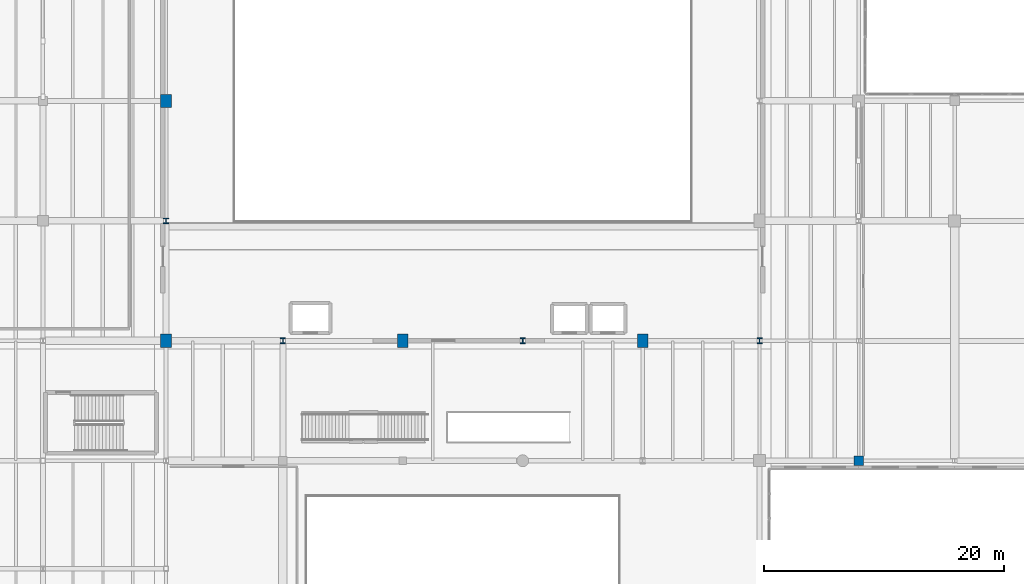
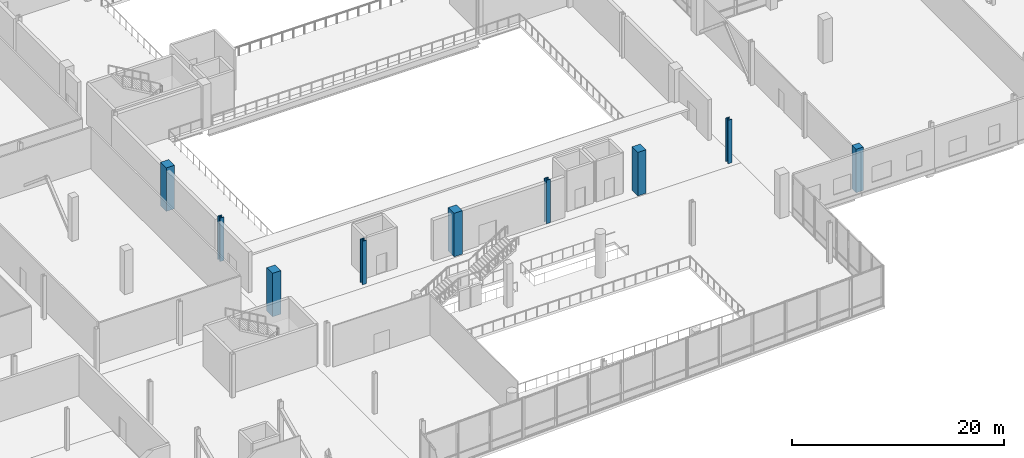
# One storey, part 5 of 73: 9 columns.
"""IFC4 building model written with IfcOpenShell, lengths in metres."""

from ifc_helpers import new_model, si_unit, direction, frame, origin, origin_2d, place, context, subcontext, project, spatial, rectangle, i_section, extrude, material, material_profile, profile_set, type_object, element, save


model = new_model("IFC4")

# Units and contexts
model_context = context("Model", 3, precision=1e-05, world=origin(), true_north=direction((0.0, 1.0)))
body_context = subcontext(model_context, "Body", "Model", "MODEL_VIEW")
ifc_project = project(units=[si_unit("LENGTHUNIT", "METRE"), si_unit("AREAUNIT", "SQUARE_METRE"), si_unit("VOLUMEUNIT", "CUBIC_METRE"), si_unit("PLANEANGLEUNIT", "RADIAN"), si_unit("MASSUNIT", "GRAM", prefix="KILO")], contexts=[model_context])

# Site, building, storey
site_placement = place(None, origin())
site = spatial("IfcSite", under=ifc_project, at=site_placement, CompositionType="ELEMENT")
building_placement = place(site_placement, origin())
building = spatial("IfcBuilding", under=site, at=building_placement, Name="Trimount Lyric Opera House", CompositionType="ELEMENT")
storey_placement = place(building_placement, frame((0.0, 0.0, 10.0)))
storey = spatial("IfcBuildingStorey", under=building, at=storey_placement, Name="L02", CompositionType="ELEMENT", Elevation=10.0)

# Columns
ifc_material_1 = material(Name="Steel ASTM A992 Grade 50", Category="steel")
ifc_material_profile_1 = material_profile(ifc_material_1, i_section(OverallWidth=0.422119140625, OverallDepth=0.465087890625, WebThickness=0.044921875, FlangeThickness=0.072509765625, FilletRadius=0.02001953125, at=origin_2d()), Name="W14X398")
ifc_profile_set_1 = profile_set([ifc_material_profile_1], Name="Steel ASTM A992 Grade 50")
column_type_1 = type_object("IfcColumnType", Name="C-01", PredefinedType="COLUMN", material=ifc_profile_set_1)
for number, where, z_axis, x_axis, name in (
    (1, (64.260009765625, 64.0, 0.0), (0.0, 0.0, 1.0), (1.0, 0.0, 0.0), "L02 column 8/H"),
    (2, (74.0, 54.0, 0.0), (0.0, 0.0, 1.0), (1.0, 0.0, 0.0), "L02 column 9/G"),
    (3, (94.0, 54.0, 0.0), (0.0, 0.0, 1.0), (1.0, 0.0, 0.0), "L02 column 11/G"),
    (4, (113.739990234375, 54.0, 0.0), (0.0, 0.0, 1.0), (1.0, 0.0, 0.0), "L02 column 13/G"),
):
    element("IfcColumn", number, at=place(storey_placement, frame(where, z_axis=z_axis, x_axis=x_axis)), inside=storey, type_object=column_type_1, Name=name, PredefinedType="COLUMN", context=body_context, shape_type="SweptSolid", body=[
        extrude(i_section(OverallWidth=0.422119140625, OverallDepth=0.465087890625, WebThickness=0.044921875, FlangeThickness=0.072509765625, FilletRadius=0.02001953125, at=origin_2d()), origin(), (0.0, 0.0, 1.0), 5.0),
    ])
ifc_material_2 = material(Name="Concrete C50/60", Category="concrete")
ifc_material_profile_2 = material_profile(ifc_material_2, rectangle(XDim=0.89990234375, YDim=1.10009765625, at=origin_2d()), Name="RC1100X900")
ifc_profile_set_2 = profile_set([ifc_material_profile_2], Name="Concrete C50/60")
column_type_2 = type_object("IfcColumnType", Name="C-11", PredefinedType="COLUMN", material=ifc_profile_set_2)
for number, where, z_axis, x_axis, name in (
    (5, (64.260009765625, 54.0, 0.0), (0.0, 0.0, 1.0), (1.0, 0.0, 0.0), "L02 column 8/G"),
    (6, (64.260009765625, 74.0, 0.0), (0.0, 0.0, 1.0), (1.0, 0.0, 0.0), "L02 column 8/J"),
    (7, (84.0, 54.0, 0.0), (0.0, 0.0, 1.0), (1.0, 0.0, 0.0), "L02 column 10/G"),
    (8, (104.0, 54.0, 0.0), (0.0, 0.0, 1.0), (1.0, 0.0, 0.0), "L02 column 12/G"),
):
    element("IfcColumn", number, at=place(storey_placement, frame(where, z_axis=z_axis, x_axis=x_axis)), inside=storey, type_object=column_type_2, Name=name, PredefinedType="COLUMN", context=body_context, shape_type="SweptSolid", body=[
        extrude(rectangle(XDim=0.89990234375, YDim=1.10009765625, at=origin_2d()), origin(), (0.0, 0.0, 1.0), 5.0),
    ])
ifc_material_3 = material(Name="Concrete C40/50", Category="concrete")
ifc_material_profile_3 = material_profile(ifc_material_3, rectangle(XDim=0.800048828125, YDim=0.800048828125, at=origin_2d()), Name="RC800X800")
ifc_profile_set_3 = profile_set([ifc_material_profile_3], Name="Concrete C40/50")
column_type_3 = type_object("IfcColumnType", Name="C-14", PredefinedType="COLUMN", material=ifc_profile_set_3)
column_placement = place(storey_placement, frame((122.0, 44.0, 0.0), z_axis=(0.0, 0.0, 1.0), x_axis=(1.0, 0.0, 0.0)))
element("IfcColumn", 9, at=column_placement, inside=storey, type_object=column_type_3, Name="L02 column 14/F", PredefinedType="COLUMN", context=body_context, shape_type="SweptSolid", body=[
    extrude(rectangle(XDim=0.800048828125, YDim=0.800048828125, at=origin_2d()), origin(), (0.0, 0.0, 1.0), 5.0),
])

save(model, "model.ifc")
